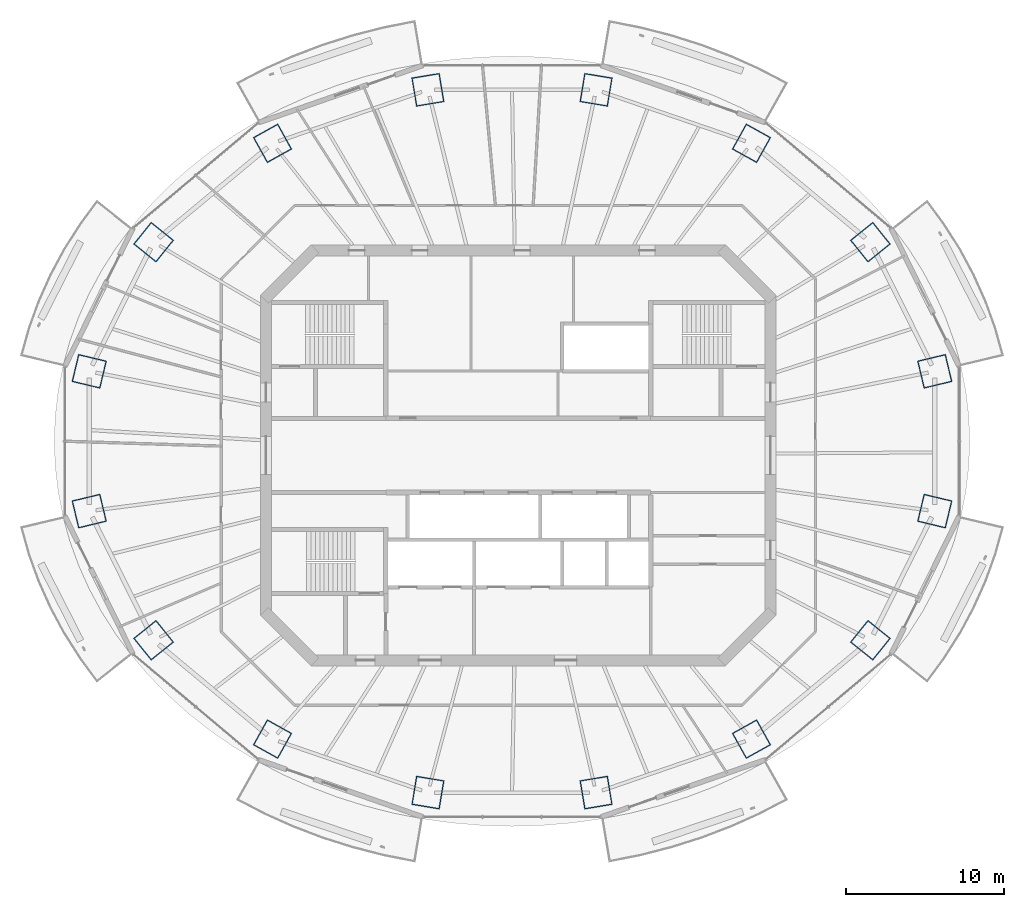
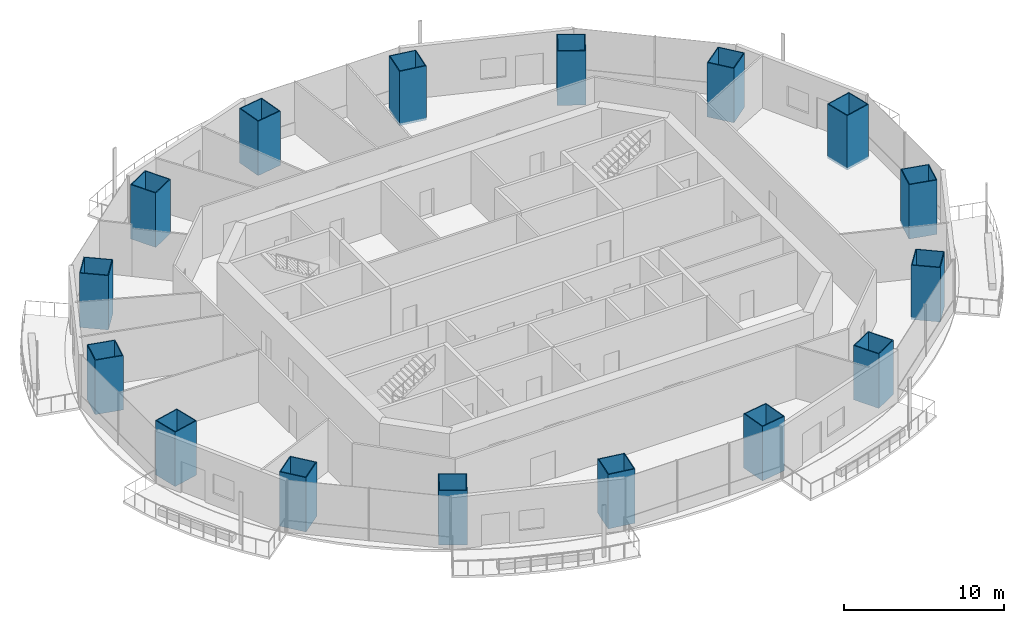
# One storey, part 1 of 16: 16 columns.
"""IFC4 building model written with IfcOpenShell, lengths in metres."""

import ifcopenshell
import ifcopenshell.guid

model = None  # the IFC model being written
_history = None  # IfcOwnerHistory: only IFC2X3 demands one
_inside = {}  # id of a spatial element -> (the spatial element, [elements in it])
_under = {}  # id of a project, library or spatial element -> (it, [spatial elements below it])
_declared = {}  # id of a project -> (the project, [libraries it declares])
_typed = {}  # id of a type object -> (the type object, [elements of that type])
_made_of = {}  # id of a material, layer set ... -> (it, [elements and type objects made of it])


def new_model(schema):
    """Start an empty IFC model of exactly this schema.

    Asked for "IFC4X3", IfcOpenShell would pick the latest addendum, in which some entities
    have other attributes; the version numbers below select the first issue.
    IFC2X3 requires an IfcOwnerHistory on every rooted entity: one is made here for all.
    """
    global model, _history
    if schema == "IFC4X3":
        model = ifcopenshell.file(schema_version=(4, 3, 0, 0))
    else:
        model = ifcopenshell.file(schema=schema)
    _inside.clear()
    _under.clear()
    _declared.clear()
    _typed.clear()
    _made_of.clear()
    _history = None
    if model.schema == "IFC2X3":
        org = make("IfcOrganization", Name="unknown")
        user = make(
            "IfcPersonAndOrganization",
            ThePerson=make("IfcPerson", FamilyName="unknown"),
            TheOrganization=org,
        )
        app = make(
            "IfcApplication",
            ApplicationDeveloper=org,
            Version="unknown",
            ApplicationFullName="unknown",
            ApplicationIdentifier="unknown",
        )
        _history = make(
            "IfcOwnerHistory",
            OwningUser=user,
            OwningApplication=app,
            ChangeAction="ADDED",
            CreationDate=0,
        )
    return model


def make(cls, **values):
    """One entity of the class cls with the attributes given. An attribute that is None is left unset."""
    return model.create_entity(
        cls, **{name: value for name, value in values.items() if value is not None}
    )


def rooted(cls, **values):
    """An entity with a GlobalId (a new one), such as an element, a storey or a relation."""
    return make(cls, GlobalId=ifcopenshell.guid.new(), OwnerHistory=_history, **values)


def si_unit(unit_type, name, prefix=None):
    """IfcSIUnit, for example si_unit("LENGTHUNIT", "METRE", prefix="MILLI")."""
    return make("IfcSIUnit", UnitType=unit_type, Prefix=prefix, Name=name)


def assignment(units):
    """IfcUnitAssignment: the units of a project."""
    return None if units is None else make("IfcUnitAssignment", Units=units)


def point(xyz):
    """IfcCartesianPoint."""
    return None if xyz is None else make("IfcCartesianPoint", Coordinates=xyz)


def direction(xyz):
    """IfcDirection."""
    return None if xyz is None else make("IfcDirection", DirectionRatios=xyz)


def frame(location, z_axis=None, x_axis=None):
    """IfcAxis2Placement3D, a coordinate frame: its origin and axes. An axis left out is left unset."""
    return make(
        "IfcAxis2Placement3D",
        Location=point(location),
        Axis=direction(z_axis),
        RefDirection=direction(x_axis),
    )


def frame_2d(location, x_axis=None):
    """IfcAxis2Placement2D, a coordinate frame in the plane: its origin and x axis."""
    return make(
        "IfcAxis2Placement2D", Location=point(location), RefDirection=direction(x_axis)
    )


def origin():
    """The frame at (0, 0, 0) with its axes left unset."""
    return frame((0.0, 0.0, 0.0))


def origin_2d():
    """The frame at (0, 0) in the plane with its x axis left unset."""
    return frame_2d((0.0, 0.0))


def place(relative_to, where):
    """IfcLocalPlacement: puts the frame where relative to a parent placement (None: the world)."""
    return make(
        "IfcLocalPlacement", PlacementRelTo=relative_to, RelativePlacement=where
    )


def context(
    kind, dimensions, precision=None, world=None, true_north=None, identifier=None
):
    """IfcGeometricRepresentationContext, for example the 3D "Model" context."""
    return make(
        "IfcGeometricRepresentationContext",
        ContextIdentifier=identifier,
        ContextType=kind,
        CoordinateSpaceDimension=dimensions,
        Precision=precision,
        WorldCoordinateSystem=world,
        TrueNorth=true_north,
    )


def subcontext(parent, identifier, kind, view, scale=None):
    """IfcGeometricRepresentationSubContext, for example "Body" below "Model"."""
    return make(
        "IfcGeometricRepresentationSubContext",
        ContextIdentifier=identifier,
        ContextType=kind,
        ParentContext=parent,
        TargetScale=scale,
        TargetView=view,
    )


def project(units=None, contexts=None):
    """IfcProject with its units and contexts."""
    return rooted(
        "IfcProject",
        Name="project",
        RepresentationContexts=contexts,
        UnitsInContext=assignment(units),
    )


def spatial(cls, under=None, at=None, **own):
    """A site, building, storey or space (cls), placed at a placement, below another one or the project."""
    s = rooted(cls, ObjectPlacement=at, **own)
    if under is not None:
        _under.setdefault(under.id(), (under, []))[1].append(s)
    return s


def profile(cls, at=None, kind="AREA", **sizes):
    """A parametric profile (cls). Its sizes go by their IFC names, for example OverallWidth=200.0."""
    return make(cls, ProfileType=kind, Position=at, **sizes)


def rectangle(**sizes):
    """IfcRectangleProfileDef."""
    return profile("IfcRectangleProfileDef", **sizes)


def hollow_rectangle(**sizes):
    """IfcRectangleHollowProfileDef."""
    return profile("IfcRectangleHollowProfileDef", **sizes)


def extrude(swept, where, along, depth):
    """IfcExtrudedAreaSolid: the profile swept, set in the frame where, extruded along a direction by depth."""
    return make(
        "IfcExtrudedAreaSolid",
        SweptArea=swept,
        Position=where,
        ExtrudedDirection=direction(along),
        Depth=depth,
    )


def shape(context_of_items, identifier, shape_type, items):
    """IfcShapeRepresentation: the items that make up one representation, for example the "Body"."""
    return make(
        "IfcShapeRepresentation",
        ContextOfItems=context_of_items,
        RepresentationIdentifier=identifier,
        RepresentationType=shape_type,
        Items=items,
    )


def material(Name=None, Category=None):
    """IfcMaterial."""
    return make("IfcMaterial", Name=Name, Category=Category)


def material_profile(
    of_material, cross_section, Name=None, Category=None, Priority=None
):
    """IfcMaterialProfile: a cross section and its material."""
    return make(
        "IfcMaterialProfile",
        Name=Name,
        Material=of_material,
        Profile=cross_section,
        Priority=Priority,
        Category=Category,
    )


def profile_set(profiles, Name=None, composite=None):
    """IfcMaterialProfileSet."""
    return make(
        "IfcMaterialProfileSet",
        Name=Name,
        MaterialProfiles=profiles,
        CompositeProfile=composite,
    )


def made_of(thing, what):
    """Note that an element or type object is made of a material, layer set ...; save() writes the relation."""
    if what is not None:
        _made_of.setdefault(what.id(), (what, []))[1].append(thing)
    return thing


def type_object(cls, material=None, **own):
    """A type object (cls), such as IfcWallType, which elements share."""
    return made_of(rooted(cls, **own), material)


def element(
    cls,
    number,
    at=None,
    inside=None,
    cuts=None,
    type_object=None,
    material=None,
    context=None,
    identifier="Body",
    shape_type=None,
    held_by="IfcProductDefinitionShape",
    body=None,
    shapes=None,
    **own,
):
    """One element of the class cls, such as IfcWall. Its Tag is "e" and its number.

    at: its placement. inside: the storey or other place that contains it. cuts: it is an
    opening in that element (IfcRelVoidsElement). A single representation is given by context,
    identifier, shape_type and body (its items); several are given by shapes. held_by: the class
    of the entity that holds the representations. save() writes the other relations.
    """
    e = rooted(cls, Tag="e%d" % number, ObjectPlacement=at, **own)
    if body is not None:
        shapes = [shape(context, identifier, shape_type, body)]
    if shapes is not None:
        e.Representation = make(held_by, Representations=shapes)
    if inside is not None:
        _inside.setdefault(inside.id(), (inside, []))[1].append(e)
    if cuts is not None:
        rooted(
            "IfcRelVoidsElement", RelatingBuildingElement=cuts, RelatedOpeningElement=e
        )
    if type_object is not None:
        _typed.setdefault(type_object.id(), (type_object, []))[1].append(e)
    return made_of(e, material)


def aggregate(whole, parts):
    """IfcRelAggregates: a whole, such as a stair, and the parts it consists of."""
    return rooted("IfcRelAggregates", RelatingObject=whole, RelatedObjects=parts)


def save(model, path):
    """Write the relations noted so far, then the file.

    IfcRelAggregates (storeys below a building ...), IfcRelContainedInSpatialStructure (elements
    in a storey), IfcRelDefinesByType, IfcRelAssociatesMaterial and IfcRelDeclares: one each for
    every whole, place, type object, material and project.
    """
    for whole, parts in _under.values():
        aggregate(whole, parts)
    for where, things in _inside.values():
        rooted(
            "IfcRelContainedInSpatialStructure",
            RelatedElements=things,
            RelatingStructure=where,
        )
    for kind, things in _typed.values():
        rooted("IfcRelDefinesByType", RelatedObjects=things, RelatingType=kind)
    for what, things in _made_of.values():
        rooted("IfcRelAssociatesMaterial", RelatedObjects=things, RelatingMaterial=what)
    for by, libraries in _declared.values():
        rooted("IfcRelDeclares", RelatingContext=by, RelatedDefinitions=libraries)
    model.write(path)


model = new_model("IFC4")

# Units and contexts
model_context = context("Model", 3, precision=1e-05, world=origin(), true_north=direction((0.0, 1.0)))
body_context = subcontext(model_context, "Body", "Model", "MODEL_VIEW")
ifc_project = project(units=[si_unit("LENGTHUNIT", "METRE"), si_unit("AREAUNIT", "SQUARE_METRE"), si_unit("VOLUMEUNIT", "CUBIC_METRE"), si_unit("PLANEANGLEUNIT", "RADIAN"), si_unit("MASSUNIT", "GRAM", prefix="KILO")], contexts=[model_context])

# Site, building, storey
site_placement = place(None, origin())
site = spatial("IfcSite", under=ifc_project, at=site_placement, CompositionType="ELEMENT")
building_placement = place(site_placement, origin())
building = spatial("IfcBuilding", under=site, at=building_placement, Name="Marenthal Gate Tower", CompositionType="ELEMENT")
storey_placement = place(building_placement, frame((0.0, 0.0, 292.800048828125)))
storey = spatial("IfcBuildingStorey", under=building, at=storey_placement, Name="L65", CompositionType="ELEMENT", Elevation=292.800048828125)

# Columns
ifc_material_1 = material(Name="Steel S460", Category="steel")
ifc_material_profile_1 = material_profile(ifc_material_1, hollow_rectangle(XDim=1.800048828125, YDim=1.85009765625, WallThickness=0.06005859375, at=origin_2d()), Name="CFT BOX 1850X1800X60")
ifc_material_2 = material(Name="Concrete 70 MPa", Category="concrete")
ifc_material_profile_2 = material_profile(ifc_material_2, rectangle(XDim=1.679931640625, YDim=1.72998046875, at=origin_2d()), Name="CFT BOX 1850X1800X60 INFILL")
ifc_profile_set = profile_set([ifc_material_profile_1, ifc_material_profile_2], Name="Steel S460 shell, Concrete 70 MPa infill")
column_type = type_object("IfcColumnType", Name="CFT BOX 1850X1800X60", PredefinedType="COLUMN", material=ifc_profile_set)
for number, where, z_axis, x_axis, name in (
    (1, (26.41259765625, 5.3330078125, -0.179931640625), (0.0, 0.0, 1.0), (0.23273930643, -0.972539158719, 0.0), "COL-L65-01"),
    (2, (22.330810546875, 13.524169921875, -0.179931640625), (0.0, 0.0, 1.0), (0.626539879793, -0.779389362918, 0.0), "COL-L65-02"),
    (3, (14.7880859375, 19.79345703125, -0.179931640625), (0.0, 0.0, 1.0), (0.874221721285, -0.485526911751, 0.0), "COL-L65-03"),
    (4, (4.933349609375, 23.186279296875, -0.179931640625), (0.0, 0.0, 1.0), (0.986606346878, -0.163119331471, 0.0), "COL-L65-04"),
    (5, (-5.7333984375, 23.186279296875, -0.179931640625), (0.0, 0.0, 1.0), (0.986606346878, 0.163119331471, 0.0), "COL-L65-05"),
    (6, (-15.588134765625, 19.79345703125, -0.179931640625), (0.0, 0.0, 1.0), (0.874221721285, 0.485526911751, 0.0), "COL-L65-06"),
    (7, (-23.130615234375, 13.524169921875, -0.179931640625), (0.0, 0.0, 1.0), (0.626539879793, 0.779389362918, 0.0), "COL-L65-07"),
    (8, (-27.212646484375, 5.3330078125, -0.179931640625), (0.0, 0.0, 1.0), (0.23273930643, 0.972539158719, 0.0), "COL-L65-08"),
    (9, (-27.212646484375, -3.532958984375, -0.179931640625), (0.0, 0.0, 1.0), (-0.23273930643, 0.972539158719, 0.0), "COL-L65-09"),
    (10, (-23.130615234375, -11.72412109375, -0.179931640625), (0.0, 0.0, 1.0), (-0.626539879793, 0.779389362918, 0.0), "COL-L65-10"),
    (11, (-15.588134765625, -17.993408203125, -0.179931640625), (0.0, 0.0, 1.0), (-0.874221721285, 0.485526911751, 0.0), "COL-L65-11"),
    (12, (-5.7333984375, -21.386474609375, -0.179931640625), (0.0, 0.0, 1.0), (-0.986606346878, 0.163119331471, 0.0), "COL-L65-12"),
    (13, (4.933349609375, -21.386474609375, -0.179931640625), (0.0, 0.0, 1.0), (-0.986606346878, -0.163119331471, 0.0), "COL-L65-13"),
    (14, (14.7880859375, -17.993408203125, -0.179931640625), (0.0, 0.0, 1.0), (-0.874221721285, -0.485526911751, 0.0), "COL-L65-14"),
    (15, (22.330810546875, -11.72412109375, -0.179931640625), (0.0, 0.0, 1.0), (-0.626539879793, -0.779389362918, 0.0), "COL-L65-15"),
    (16, (26.41259765625, -3.532958984375, -0.179931640625), (0.0, 0.0, 1.0), (-0.23273930643, -0.972539158719, 0.0), "COL-L65-16"),
):
    element("IfcColumn", number, at=place(storey_placement, frame(where, z_axis=z_axis, x_axis=x_axis)), inside=storey, type_object=column_type, Name=name, PredefinedType="COLUMN", context=body_context, shape_type="SweptSolid", body=[
        extrude(hollow_rectangle(XDim=1.800048828125, YDim=1.85009765625, WallThickness=0.06005859375, at=origin_2d()), origin(), (0.0, 0.0, 1.0), 4.14990234375),
    ])

save(model, "model.ifc")
